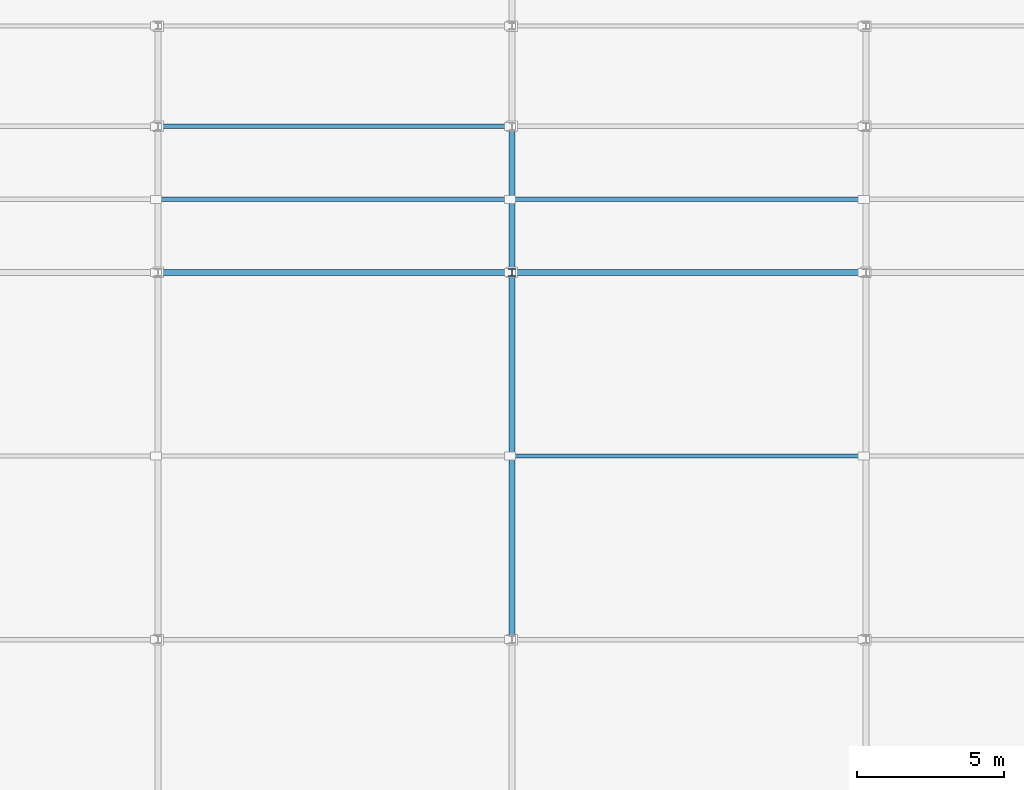
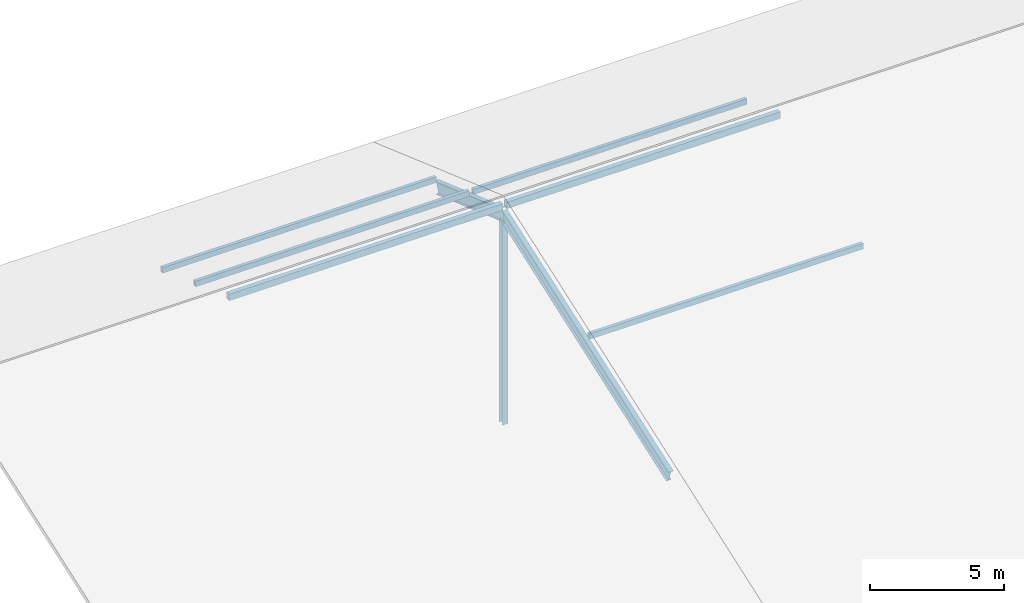
# One storey, part 6 of 42: 7 members, 2 beams.
"""IFC4 building model written with IfcOpenShell, lengths in metres."""

from ifc_helpers import new_model, si_unit, direction, frame, origin, origin_2d, place, context, subcontext, project, spatial, hollow_rectangle, i_section, extrude, material, material_profile, profile_set, type_object, element, save


model = new_model("IFC4")

# Units and contexts
model_context = context("Model", 3, precision=1e-05, world=origin(), true_north=direction((0.0, 1.0)))
body_context = subcontext(model_context, "Body", "Model", "MODEL_VIEW")
ifc_project = project(units=[si_unit("LENGTHUNIT", "METRE"), si_unit("AREAUNIT", "SQUARE_METRE"), si_unit("VOLUMEUNIT", "CUBIC_METRE"), si_unit("PLANEANGLEUNIT", "RADIAN"), si_unit("MASSUNIT", "GRAM", prefix="KILO")], contexts=[model_context])

# Site, building, storey
site_placement = place(None, origin())
site = spatial("IfcSite", under=ifc_project, at=site_placement, CompositionType="ELEMENT")
building_placement = place(site_placement, origin())
building = spatial("IfcBuilding", under=site, at=building_placement, Name="Kelmvaro Bay Concert Hall", CompositionType="ELEMENT")
storey_placement = place(building_placement, frame((0.0, 0.0, 26.699951171875)))
storey = spatial("IfcBuildingStorey", under=building, at=storey_placement, Name="RF", CompositionType="ELEMENT", Elevation=26.699951171875)

# Members
ifc_material_1 = material(Name="Steel ASTM A992 Grade 50", Category="steel")
ifc_material_profile_1 = material_profile(ifc_material_1, i_section(OverallWidth=0.25390625, OverallDepth=0.25390625, WebThickness=0.008544921875, FlangeThickness=0.01416015625, at=origin_2d()), Name="W10X49")
ifc_profile_set_1 = profile_set([ifc_material_profile_1], Name="Steel ASTM A992 Grade 50")
member_type_1 = type_object("IfcMemberType", Name="Crystal Crown King Post W10x49", PredefinedType="STRUT", material=ifc_profile_set_1)
member_placement = place(storey_placement, frame((24.0, 29.25, -12.9150390625), z_axis=(0.0, 0.0, 1.0), x_axis=(1.0, 0.0, 0.0)))
element("IfcMember", 1, at=member_placement, inside=storey, type_object=member_type_1, Name="V3 Crystal Roof Post 013", PredefinedType="STRUT", context=body_context, shape_type="SweptSolid", body=[
    extrude(i_section(OverallWidth=0.25390625, OverallDepth=0.25390625, WebThickness=0.008544921875, FlangeThickness=0.01416015625, at=origin_2d()), origin(), (0.0, 0.0, 1.0), 9.271240234375),
])
ifc_material_2 = material(Name="Steel ASTM A500 Grade C", Category="steel")
ifc_material_profile_2 = material_profile(ifc_material_2, hollow_rectangle(XDim=0.14990234375, YDim=0.25, WallThickness=0.010009765625, at=origin_2d()), Name="HSS250X150X10")
ifc_profile_set_2 = profile_set([ifc_material_profile_2], Name="Steel ASTM A500 Grade C")
member_type_2 = type_object("IfcMemberType", Name="Crystal Roof Mid Purlin HSS250x150x10", PredefinedType="PURLIN", material=ifc_profile_set_2)
for number, where, z_axis, x_axis, name in (
    (2, (24.0849609375, 23.02490234375, -5.1982421875), (1.0, 0.0, 0.0), (0.0, 1.0, 0.0), "V3 Crystal Roof Purlin 015"),
    (3, (12.0849609375, 31.72509765625, -3.8701171875), (1.0, 0.0, 0.0), (0.0, 1.0, 0.0), "V3 Crystal Roof Purlin 022"),
    (4, (24.0849609375, 31.72509765625, -3.8701171875), (1.0, 0.0, 0.0), (0.0, 1.0, 0.0), "V3 Crystal Roof Purlin 023"),
    (5, (12.0849609375, 34.199951171875, -4.74658203125), (1.0, 0.0, 0.0), (0.0, 1.0, 0.0), "V3 Crystal Roof Purlin 026"),
):
    element("IfcMember", number, at=place(storey_placement, frame(where, z_axis=z_axis, x_axis=x_axis)), inside=storey, type_object=member_type_2, Name=name, PredefinedType="PURLIN", context=body_context, shape_type="SweptSolid", body=[
        extrude(hollow_rectangle(XDim=0.14990234375, YDim=0.25, WallThickness=0.010009765625, at=origin_2d()), origin(), (0.0, 0.0, 1.0), 11.830078125),
    ])
ifc_material_3 = material(Name="Steel ASTM A500 Grade C", Category="steel")
ifc_material_profile_3 = material_profile(ifc_material_3, hollow_rectangle(XDim=0.199951171875, YDim=0.300048828125, WallThickness=0.012451171875, at=origin_2d()), Name="HSS300X200X12")
ifc_profile_set_3 = profile_set([ifc_material_profile_3], Name="Steel ASTM A500 Grade C")
member_type_3 = type_object("IfcMemberType", Name="Crystal Roof Ridge Purlin HSS300x200x12", PredefinedType="PURLIN", material=ifc_profile_set_3)
for number, where, z_axis, x_axis, name in (
    (6, (12.0849609375, 29.25, -2.96875), (1.0, 0.0, 0.0), (0.0, 1.0, 0.0), "V3 Crystal Roof Purlin 018"),
    (7, (24.0849609375, 29.25, -2.96875), (1.0, 0.0, 0.0), (0.0, 1.0, 0.0), "V3 Crystal Roof Purlin 019"),
):
    element("IfcMember", number, at=place(storey_placement, frame(where, z_axis=z_axis, x_axis=x_axis)), inside=storey, type_object=member_type_3, Name=name, PredefinedType="PURLIN", context=body_context, shape_type="SweptSolid", body=[
        extrude(hollow_rectangle(XDim=0.199951171875, YDim=0.300048828125, WallThickness=0.012451171875, at=origin_2d()), origin(), (0.0, 0.0, 1.0), 11.830078125),
    ])

# Beams
ifc_material_4 = material(Name="Steel ASTM A992 Grade 50", Category="steel")
ifc_material_profile_4 = material_profile(ifc_material_4, i_section(OverallWidth=0.2119140625, OverallDepth=0.5439453125, WebThickness=0.01318359375, FlangeThickness=0.021240234375, at=origin_2d()), Name="W21X83")
ifc_profile_set_4 = profile_set([ifc_material_profile_4], Name="Steel ASTM A992 Grade 50")
beam_type = type_object("IfcBeamType", Name="Crystal Roof Sloped Rafter W21x83", PredefinedType="BEAM", material=ifc_profile_set_4)
beam_1_placement = place(storey_placement, frame((24.0, 16.800048828125, -7.795654296875), z_axis=(0.0, 0.942637283425, 0.33381874108), x_axis=(-1.0, 0.0, 0.0)))
element("IfcBeam", 8, at=beam_1_placement, inside=storey, type_object=beam_type, Name="V3 Crystal Roof Rafter 012", PredefinedType="BEAM", context=body_context, shape_type="SweptSolid", body=[
    extrude(i_section(OverallWidth=0.2119140625, OverallDepth=0.5439453125, WebThickness=0.01318359375, FlangeThickness=0.021240234375, at=origin_2d()), origin(), (0.0, 0.0, 1.0), 13.20751953125),
])
beam_2_placement = place(storey_placement, frame((24.0, 29.25, -3.38671875), z_axis=(0.0, 0.94263789306, -0.333817019589), x_axis=(-1.0, 0.0, 0.0)))
element("IfcBeam", 9, at=beam_2_placement, inside=storey, type_object=beam_type, Name="V3 Crystal Roof Rafter 013", PredefinedType="BEAM", context=body_context, shape_type="SweptSolid", body=[
    extrude(i_section(OverallWidth=0.2119140625, OverallDepth=0.5439453125, WebThickness=0.01318359375, FlangeThickness=0.021240234375, at=origin_2d()), origin(), (0.0, 0.0, 1.0), 5.251220703125),
])

save(model, "model.ifc")
